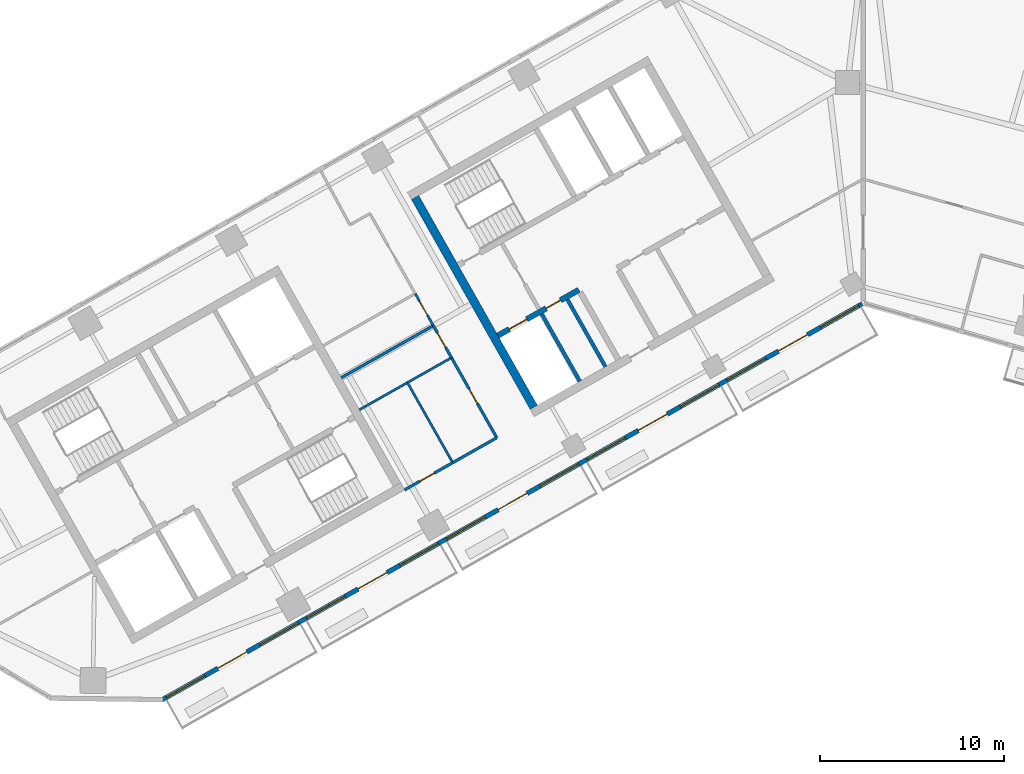
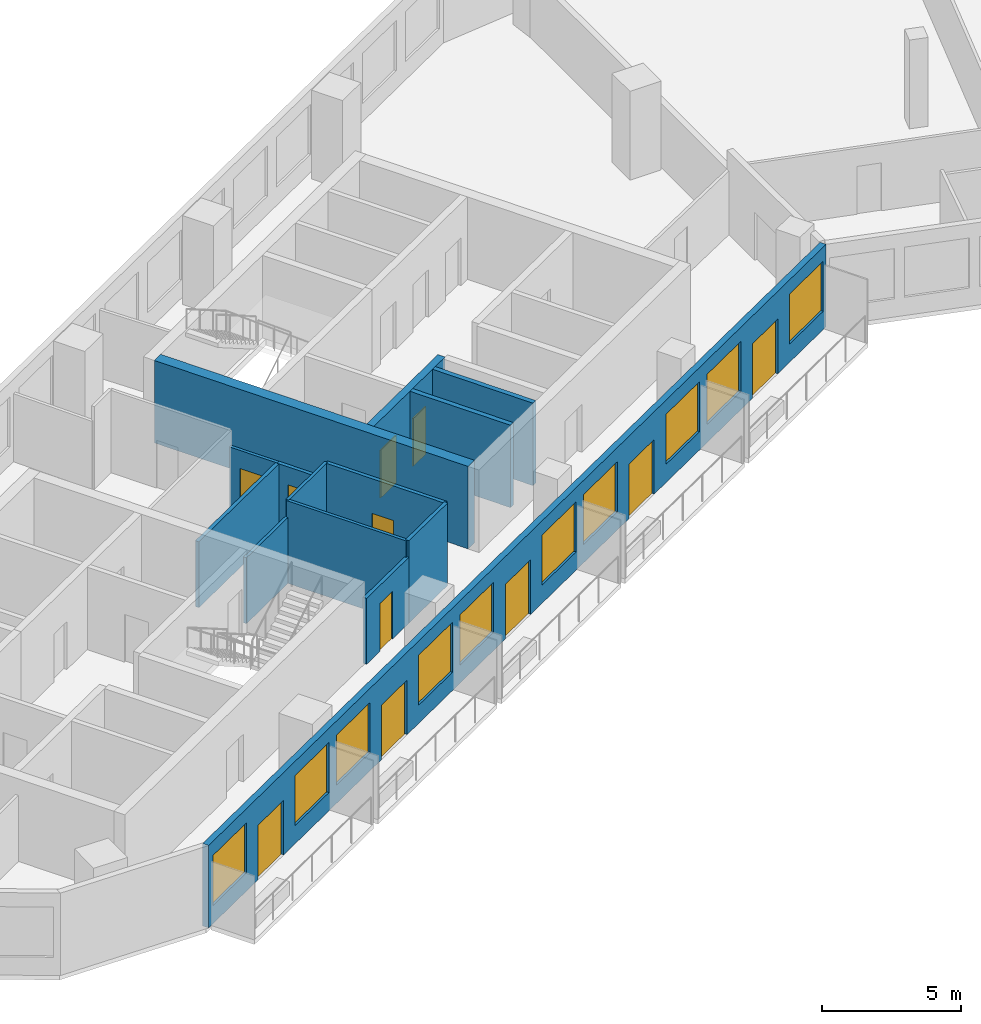
# One storey, part 5 of 12: 14 walls, 11 doors, 10 windows, 21 openings.
"""IFC4 building model written with IfcOpenShell, lengths in metres."""

from ifc_helpers import new_model, si_unit, direction, frame, frame_2d, origin, place, context, subcontext, project, spatial, rectangle, extrude, material, layer, layer_set, type_object, element, fill, save


model = new_model("IFC4")

# Units and contexts
model_context = context("Model", 3, precision=1e-05, world=origin(), true_north=direction((0.0, 1.0)))
body_context = subcontext(model_context, "Body", "Model", "MODEL_VIEW")
ifc_project = project(units=[si_unit("LENGTHUNIT", "METRE"), si_unit("AREAUNIT", "SQUARE_METRE"), si_unit("VOLUMEUNIT", "CUBIC_METRE"), si_unit("PLANEANGLEUNIT", "RADIAN"), si_unit("MASSUNIT", "GRAM", prefix="KILO")], contexts=[model_context])

# Site, building, storey
site_placement = place(None, origin())
site = spatial("IfcSite", under=ifc_project, at=site_placement, CompositionType="ELEMENT")
building_placement = place(site_placement, origin())
building = spatial("IfcBuilding", under=site, at=building_placement, Name="Binnacle Exchange Tower", CompositionType="ELEMENT")
storey_placement = place(building_placement, frame((0.0, 0.0, 211.39990234375)))
storey = spatial("IfcBuildingStorey", under=building, at=storey_placement, Name="L46", CompositionType="ELEMENT", Elevation=211.39990234375)

# Wall, openings, doors
ifc_material_1 = material(Name="Concrete C70/85", Category="concrete")
ifc_layer_1 = layer(ifc_material_1, 0.300048828125)
ifc_layer_set_1 = layer_set([ifc_layer_1], Name="Core wall - front 300")
wall_type_1 = type_object("IfcWallType", Name="Core wall - front 300", PredefinedType="SOLIDWALL", material=ifc_layer_set_1)
wall_1_placement = place(storey_placement, frame((-19.8486328125, 46.242431640625, 0.0), z_axis=(0.0, 0.0, 1.0), x_axis=(0.870347559728, 0.492437940532, 0.0)))
wall_1 = element("IfcWall", 1, at=wall_1_placement, inside=storey, type_object=wall_type_1, Name="Core wall CRWC2", PredefinedType="SOLIDWALL", context=body_context, shape_type="SweptSolid", body=[
    extrude(rectangle(XDim=5.050048828125, YDim=0.300048828125, at=frame_2d((2.52490234375, 0.0))), origin(), (0.0, 0.0, 1.0), 3.6201171875),
])
opening_1_placement = place(wall_1_placement, frame((0.7001953125, 0.0, 0.0)))
opening_1 = element("IfcOpeningElement", 2, at=opening_1_placement, cuts=wall_1, Name="Opening LD14", PredefinedType="OPENING", context=body_context, shape_type="SweptSolid", body=[
    extrude(rectangle(XDim=1.10009765625, YDim=2.10009765625, at=frame_2d((0.550048828125, 1.050048828125))), frame((0.0, 0.159912109375, 0.0), z_axis=(0.0, -1.0, 0.0), x_axis=(1.0, 0.0, 0.0)), (0.0, 0.0, 1.0), 0.320068359375),
])
opening_2_placement = place(wall_1_placement, frame((3.0, 0.0, 0.0)))
opening_2 = element("IfcOpeningElement", 3, at=opening_2_placement, cuts=wall_1, Name="Opening DC14", PredefinedType="OPENING", context=body_context, shape_type="SweptSolid", body=[
    extrude(rectangle(XDim=0.89990234375, YDim=2.10009765625, at=frame_2d((0.449951171875, 1.050048828125))), frame((0.0, 0.159912109375, 0.0), z_axis=(0.0, -1.0, 0.0), x_axis=(1.0, 0.0, 0.0)), (0.0, 0.0, 1.0), 0.320068359375),
])
ifc_material_2 = material(Name="Steel door leaf", Category="steel")
door_type_1 = type_object("IfcDoorType", Name="Fire door - lift landing 1100", OperationType="NOTDEFINED", PredefinedType="DOOR", material=ifc_material_2)
door_1_placement = place(opening_1_placement, origin())
door_1 = element("IfcDoor", 4, at=door_1_placement, inside=storey, type_object=door_type_1, Name="Landing door LD14 L46", OperationType="DOUBLE_DOOR_SLIDING", OverallHeight=2.10009765625, OverallWidth=1.10009765625, PredefinedType="DOOR", context=body_context, shape_type="SweptSolid", body=[
    extrude(rectangle(XDim=1.10009765625, YDim=2.10009765625, at=frame_2d((0.550048828125, 1.050048828125))), frame((0.0, 0.02490234375, 0.0), z_axis=(0.0, -1.0, 0.0), x_axis=(1.0, 0.0, 0.0)), (0.0, 0.0, 1.0), 0.050048828125),
])
fill(opening_1, door_1)
door_type_2 = type_object("IfcDoorType", Name="Fire door 900", OperationType="NOTDEFINED", PredefinedType="DOOR", material=ifc_material_2)
door_2_placement = place(opening_2_placement, frame((0.89990234375, 0.0, 0.0), z_axis=(0.0, 0.0, 1.0), x_axis=(-1.0, 0.0, 0.0)))
door_2 = element("IfcDoor", 5, at=door_2_placement, inside=storey, type_object=door_type_2, Name="Core room door ELECTRICAL ROOM", OperationType="SINGLE_SWING_LEFT", OverallHeight=2.10009765625, OverallWidth=0.89990234375, PredefinedType="DOOR", context=body_context, shape_type="SweptSolid", body=[
    extrude(rectangle(XDim=0.89990234375, YDim=2.10009765625, at=frame_2d((0.449951171875, 1.050048828125))), frame((0.0, 0.02490234375, 0.0), z_axis=(0.0, -1.0, 0.0), x_axis=(1.0, 0.0, 0.0)), (0.0, 0.0, 1.0), 0.050048828125),
])
fill(opening_2, door_2)

# Wall
ifc_layer_2 = layer(ifc_material_1, 0.449951171875)
ifc_layer_set_2 = layer_set([ifc_layer_2], Name="Core wall - outer 450")
wall_type_2 = type_object("IfcWallType", Name="Core wall - outer 450", PredefinedType="SOLIDWALL", material=ifc_layer_set_2)
wall_2_placement = place(storey_placement, frame((-24.353271484375, 53.747314453125, 0.0), z_axis=(0.0, 0.0, 1.0), x_axis=(0.492435496286, -0.870348942665, 0.0)))
element("IfcWall", 6, at=wall_2_placement, inside=storey, type_object=wall_type_2, Name="Core wall CRWC7", PredefinedType="SOLIDWALL", context=body_context, shape_type="SweptSolid", body=[
    extrude(rectangle(XDim=13.10009765625, YDim=0.449951171875, at=frame_2d((6.550048828125, 0.0))), origin(), (0.0, 0.0, 1.0), 3.6201171875),
])

# Wall, openings, doors, windows
ifc_material_3 = material(Name="Bronze aluminium cladding", Category="aluminium")
ifc_layer_3 = layer(ifc_material_3, 0.25)
ifc_layer_set_3 = layer_set([ifc_layer_3], Name="External wall - window wall 250")
wall_type_3 = type_object("IfcWallType", Name="External wall - window wall 250", PredefinedType="STANDARD", material=ifc_layer_set_3)
wall_3_placement = place(storey_placement, frame((-0.045654296875, 47.97412109375, 0.0), z_axis=(0.0, 0.0, 1.0), x_axis=(-0.870356579543, -0.492421998337, 0.0)))
wall_3 = element("IfcWall", 7, at=wall_3_placement, inside=storey, type_object=wall_type_3, Name="External wall EW-G01 L46", PredefinedType="STANDARD", context=body_context, shape_type="SweptSolid", body=[
    extrude(rectangle(XDim=43.75390625, YDim=0.25, at=frame_2d((21.876953125, 0.0))), origin(), (0.0, 0.0, 1.0), 3.6201171875),
])
opening_3_placement = place(wall_3_placement, frame((41.061279296875, 0.0, 0.800048828125)))
opening_3 = element("IfcOpeningElement", 8, at=opening_3_placement, cuts=wall_3, Name="Opening WR1", PredefinedType="OPENING", context=body_context, shape_type="SweptSolid", body=[
    extrude(rectangle(XDim=2.39990234375, YDim=2.199951171875, at=frame_2d((1.199951171875, 1.10009765625))), frame((0.0, 0.135009765625, 0.0), z_axis=(0.0, -1.0, 0.0), x_axis=(1.0, 0.0, 0.0)), (0.0, 0.0, 1.0), 0.27001953125),
])
opening_4_placement = place(wall_3_placement, frame((38.443115234375, 0.0, 0.0)))
opening_4 = element("IfcOpeningElement", 9, at=opening_4_placement, cuts=wall_3, Name="Opening D-FS13-01", PredefinedType="OPENING", context=body_context, shape_type="SweptSolid", body=[
    extrude(rectangle(XDim=1.800048828125, YDim=2.39990234375, at=frame_2d((0.89990234375, 1.199951171875))), frame((0.0, 0.135009765625, 0.0), z_axis=(0.0, -1.0, 0.0), x_axis=(1.0, 0.0, 0.0)), (0.0, 0.0, 1.0), 0.27001953125),
])
opening_5_placement = place(wall_3_placement, frame((35.224853515625, 0.0, 0.800048828125)))
opening_5 = element("IfcOpeningElement", 10, at=opening_5_placement, cuts=wall_3, Name="Opening WR1", PredefinedType="OPENING", context=body_context, shape_type="SweptSolid", body=[
    extrude(rectangle(XDim=2.39990234375, YDim=2.199951171875, at=frame_2d((1.199951171875, 1.10009765625))), frame((0.0, 0.135009765625, 0.0), z_axis=(0.0, -1.0, 0.0), x_axis=(1.0, 0.0, 0.0)), (0.0, 0.0, 1.0), 0.27001953125),
])
opening_6_placement = place(wall_3_placement, frame((32.306640625, 0.0, 0.800048828125)))
opening_6 = element("IfcOpeningElement", 11, at=opening_6_placement, cuts=wall_3, Name="Opening WR1", PredefinedType="OPENING", context=body_context, shape_type="SweptSolid", body=[
    extrude(rectangle(XDim=2.39990234375, YDim=2.199951171875, at=frame_2d((1.199951171875, 1.10009765625))), frame((0.0, 0.135009765625, 0.0), z_axis=(0.0, -1.0, 0.0), x_axis=(1.0, 0.0, 0.0)), (0.0, 0.0, 1.0), 0.27001953125),
])
opening_7_placement = place(wall_3_placement, frame((29.6884765625, 0.0, 0.0)))
opening_7 = element("IfcOpeningElement", 12, at=opening_7_placement, cuts=wall_3, Name="Opening D-FS13-02", PredefinedType="OPENING", context=body_context, shape_type="SweptSolid", body=[
    extrude(rectangle(XDim=1.800048828125, YDim=2.39990234375, at=frame_2d((0.89990234375, 1.199951171875))), frame((0.0, 0.135009765625, 0.0), z_axis=(0.0, -1.0, 0.0), x_axis=(1.0, 0.0, 0.0)), (0.0, 0.0, 1.0), 0.27001953125),
])
opening_8_placement = place(wall_3_placement, frame((26.47021484375, 0.0, 0.800048828125)))
opening_8 = element("IfcOpeningElement", 13, at=opening_8_placement, cuts=wall_3, Name="Opening WR1", PredefinedType="OPENING", context=body_context, shape_type="SweptSolid", body=[
    extrude(rectangle(XDim=2.39990234375, YDim=2.199951171875, at=frame_2d((1.199951171875, 1.10009765625))), frame((0.0, 0.135009765625, 0.0), z_axis=(0.0, -1.0, 0.0), x_axis=(1.0, 0.0, 0.0)), (0.0, 0.0, 1.0), 0.27001953125),
])
opening_9_placement = place(wall_3_placement, frame((23.552001953125, 0.0, 0.800048828125)))
opening_9 = element("IfcOpeningElement", 14, at=opening_9_placement, cuts=wall_3, Name="Opening WR1", PredefinedType="OPENING", context=body_context, shape_type="SweptSolid", body=[
    extrude(rectangle(XDim=2.39990234375, YDim=2.199951171875, at=frame_2d((1.199951171875, 1.10009765625))), frame((0.0, 0.135009765625, 0.0), z_axis=(0.0, -1.0, 0.0), x_axis=(1.0, 0.0, 0.0)), (0.0, 0.0, 1.0), 0.27001953125),
])
opening_10_placement = place(wall_3_placement, frame((20.93408203125, 0.0, 0.0)))
opening_10 = element("IfcOpeningElement", 15, at=opening_10_placement, cuts=wall_3, Name="Opening D-FS13-03", PredefinedType="OPENING", context=body_context, shape_type="SweptSolid", body=[
    extrude(rectangle(XDim=1.7998046875, YDim=2.39990234375, at=frame_2d((0.89990234375, 1.199951171875))), frame((0.0, 0.135009765625, 0.0), z_axis=(0.0, -1.0, 0.0), x_axis=(1.0, 0.0, 0.0)), (0.0, 0.0, 1.0), 0.27001953125),
])
opening_11_placement = place(wall_3_placement, frame((17.7158203125, 0.0, 0.800048828125)))
opening_11 = element("IfcOpeningElement", 16, at=opening_11_placement, cuts=wall_3, Name="Opening WR1", PredefinedType="OPENING", context=body_context, shape_type="SweptSolid", body=[
    extrude(rectangle(XDim=2.39990234375, YDim=2.199951171875, at=frame_2d((1.199951171875, 1.10009765625))), frame((0.0, 0.135009765625, 0.0), z_axis=(0.0, -1.0, 0.0), x_axis=(1.0, 0.0, 0.0)), (0.0, 0.0, 1.0), 0.27001953125),
])
opening_12_placement = place(wall_3_placement, frame((14.797607421875, 0.0, 0.800048828125)))
opening_12 = element("IfcOpeningElement", 17, at=opening_12_placement, cuts=wall_3, Name="Opening WR1", PredefinedType="OPENING", context=body_context, shape_type="SweptSolid", body=[
    extrude(rectangle(XDim=2.39990234375, YDim=2.199951171875, at=frame_2d((1.199951171875, 1.10009765625))), frame((0.0, 0.135009765625, 0.0), z_axis=(0.0, -1.0, 0.0), x_axis=(1.0, 0.0, 0.0)), (0.0, 0.0, 1.0), 0.27001953125),
])
opening_13_placement = place(wall_3_placement, frame((12.179443359375, 0.0, 0.0)))
opening_13 = element("IfcOpeningElement", 18, at=opening_13_placement, cuts=wall_3, Name="Opening D-FS13-04", PredefinedType="OPENING", context=body_context, shape_type="SweptSolid", body=[
    extrude(rectangle(XDim=1.800048828125, YDim=2.39990234375, at=frame_2d((0.89990234375, 1.199951171875))), frame((0.0, 0.135009765625, 0.0), z_axis=(0.0, -1.0, 0.0), x_axis=(1.0, 0.0, 0.0)), (0.0, 0.0, 1.0), 0.27001953125),
])
opening_14_placement = place(wall_3_placement, frame((8.961181640625, 0.0, 0.800048828125)))
opening_14 = element("IfcOpeningElement", 19, at=opening_14_placement, cuts=wall_3, Name="Opening WR1", PredefinedType="OPENING", context=body_context, shape_type="SweptSolid", body=[
    extrude(rectangle(XDim=2.39990234375, YDim=2.199951171875, at=frame_2d((1.199951171875, 1.10009765625))), frame((0.0, 0.135009765625, 0.0), z_axis=(0.0, -1.0, 0.0), x_axis=(1.0, 0.0, 0.0)), (0.0, 0.0, 1.0), 0.27001953125),
])
opening_15_placement = place(wall_3_placement, frame((6.04296875, 0.0, 0.800048828125)))
opening_15 = element("IfcOpeningElement", 20, at=opening_15_placement, cuts=wall_3, Name="Opening WR1", PredefinedType="OPENING", context=body_context, shape_type="SweptSolid", body=[
    extrude(rectangle(XDim=2.400146484375, YDim=2.199951171875, at=frame_2d((1.2001953125, 1.10009765625))), frame((0.0, 0.135009765625, 0.0), z_axis=(0.0, -1.0, 0.0), x_axis=(1.0, 0.0, 0.0)), (0.0, 0.0, 1.0), 0.27001953125),
])
opening_16_placement = place(wall_3_placement, frame((3.4248046875, 0.0, 0.0)))
opening_16 = element("IfcOpeningElement", 21, at=opening_16_placement, cuts=wall_3, Name="Opening D-FS13-05", PredefinedType="OPENING", context=body_context, shape_type="SweptSolid", body=[
    extrude(rectangle(XDim=1.800048828125, YDim=2.39990234375, at=frame_2d((0.89990234375, 1.199951171875))), frame((0.0, 0.135009765625, 0.0), z_axis=(0.0, -1.0, 0.0), x_axis=(1.0, 0.0, 0.0)), (0.0, 0.0, 1.0), 0.27001953125),
])
opening_17_placement = place(wall_3_placement, frame((0.206787109375, 0.0, 0.800048828125)))
opening_17 = element("IfcOpeningElement", 22, at=opening_17_placement, cuts=wall_3, Name="Opening WR1", PredefinedType="OPENING", context=body_context, shape_type="SweptSolid", body=[
    extrude(rectangle(XDim=2.39990234375, YDim=2.199951171875, at=frame_2d((1.199951171875, 1.10009765625))), frame((0.0, 0.135009765625, 0.0), z_axis=(0.0, -1.0, 0.0), x_axis=(1.0, 0.0, 0.0)), (0.0, 0.0, 1.0), 0.27001953125),
])
ifc_material_4 = material(Name="Bronze anodised aluminium frame", Category="aluminium")
door_type_3 = type_object("IfcDoorType", Name="DB DOOR 1800x2400", OperationType="DOUBLE_DOOR_SINGLE_SWING", PredefinedType="DOOR", material=ifc_material_4)
door_3_placement = place(opening_4_placement, origin())
door_3 = element("IfcDoor", 23, at=door_3_placement, inside=storey, type_object=door_type_3, Name="Door D-FS13-01 L46", OperationType="DOUBLE_DOOR_SINGLE_SWING", OverallHeight=2.39990234375, OverallWidth=1.800048828125, PredefinedType="DOOR", context=body_context, shape_type="SweptSolid", body=[
    extrude(rectangle(XDim=1.800048828125, YDim=2.39990234375, at=frame_2d((0.89990234375, 1.199951171875))), frame((0.0, 0.02490234375, 0.0), z_axis=(0.0, -1.0, 0.0), x_axis=(1.0, 0.0, 0.0)), (0.0, 0.0, 1.0), 0.050048828125),
])
fill(opening_4, door_3)
door_4_placement = place(opening_7_placement, origin())
door_4 = element("IfcDoor", 24, at=door_4_placement, inside=storey, type_object=door_type_3, Name="Door D-FS13-02 L46", OperationType="DOUBLE_DOOR_SINGLE_SWING", OverallHeight=2.39990234375, OverallWidth=1.800048828125, PredefinedType="DOOR", context=body_context, shape_type="SweptSolid", body=[
    extrude(rectangle(XDim=1.800048828125, YDim=2.39990234375, at=frame_2d((0.89990234375, 1.199951171875))), frame((0.0, 0.02490234375, 0.0), z_axis=(0.0, -1.0, 0.0), x_axis=(1.0, 0.0, 0.0)), (0.0, 0.0, 1.0), 0.050048828125),
])
fill(opening_7, door_4)
door_5_placement = place(opening_10_placement, origin())
door_5 = element("IfcDoor", 25, at=door_5_placement, inside=storey, type_object=door_type_3, Name="Door D-FS13-03 L46", OperationType="DOUBLE_DOOR_SINGLE_SWING", OverallHeight=2.39990234375, OverallWidth=1.7998046875, PredefinedType="DOOR", context=body_context, shape_type="SweptSolid", body=[
    extrude(rectangle(XDim=1.7998046875, YDim=2.39990234375, at=frame_2d((0.89990234375, 1.199951171875))), frame((0.0, 0.02490234375, 0.0), z_axis=(0.0, -1.0, 0.0), x_axis=(1.0, 0.0, 0.0)), (0.0, 0.0, 1.0), 0.050048828125),
])
fill(opening_10, door_5)
door_6_placement = place(opening_13_placement, origin())
door_6 = element("IfcDoor", 26, at=door_6_placement, inside=storey, type_object=door_type_3, Name="Door D-FS13-04 L46", OperationType="DOUBLE_DOOR_SINGLE_SWING", OverallHeight=2.39990234375, OverallWidth=1.800048828125, PredefinedType="DOOR", context=body_context, shape_type="SweptSolid", body=[
    extrude(rectangle(XDim=1.800048828125, YDim=2.39990234375, at=frame_2d((0.89990234375, 1.199951171875))), frame((0.0, 0.02490234375, 0.0), z_axis=(0.0, -1.0, 0.0), x_axis=(1.0, 0.0, 0.0)), (0.0, 0.0, 1.0), 0.050048828125),
])
fill(opening_13, door_6)
door_7_placement = place(opening_16_placement, origin())
door_7 = element("IfcDoor", 27, at=door_7_placement, inside=storey, type_object=door_type_3, Name="Door D-FS13-05 L46", OperationType="DOUBLE_DOOR_SINGLE_SWING", OverallHeight=2.39990234375, OverallWidth=1.800048828125, PredefinedType="DOOR", context=body_context, shape_type="SweptSolid", body=[
    extrude(rectangle(XDim=1.800048828125, YDim=2.39990234375, at=frame_2d((0.89990234375, 1.199951171875))), frame((0.0, 0.02490234375, 0.0), z_axis=(0.0, -1.0, 0.0), x_axis=(1.0, 0.0, 0.0)), (0.0, 0.0, 1.0), 0.050048828125),
])
fill(opening_16, door_7)
window_type = type_object("IfcWindowType", Name="WR1 WINDOW 2400x2200", PartitioningType="SINGLE_PANEL", PredefinedType="WINDOW", material=ifc_material_4)
window_1_placement = place(opening_3_placement, origin())
window_1 = element("IfcWindow", 28, at=window_1_placement, inside=storey, type_object=window_type, Name="Window WR1 L46", OverallHeight=2.199951171875, OverallWidth=2.39990234375, PartitioningType="SINGLE_PANEL", PredefinedType="WINDOW", context=body_context, shape_type="SweptSolid", body=[
    extrude(rectangle(XDim=2.39990234375, YDim=2.199951171875, at=frame_2d((1.199951171875, 1.10009765625))), frame((0.0, 0.030029296875, 0.0), z_axis=(0.0, -1.0, 0.0), x_axis=(1.0, 0.0, 0.0)), (0.0, 0.0, 1.0), 0.06005859375),
])
fill(opening_3, window_1)
window_2_placement = place(opening_5_placement, origin())
window_2 = element("IfcWindow", 29, at=window_2_placement, inside=storey, type_object=window_type, Name="Window WR1 L46", OverallHeight=2.199951171875, OverallWidth=2.39990234375, PartitioningType="SINGLE_PANEL", PredefinedType="WINDOW", context=body_context, shape_type="SweptSolid", body=[
    extrude(rectangle(XDim=2.39990234375, YDim=2.199951171875, at=frame_2d((1.199951171875, 1.10009765625))), frame((0.0, 0.030029296875, 0.0), z_axis=(0.0, -1.0, 0.0), x_axis=(1.0, 0.0, 0.0)), (0.0, 0.0, 1.0), 0.06005859375),
])
fill(opening_5, window_2)
window_3_placement = place(opening_6_placement, origin())
window_3 = element("IfcWindow", 30, at=window_3_placement, inside=storey, type_object=window_type, Name="Window WR1 L46", OverallHeight=2.199951171875, OverallWidth=2.39990234375, PartitioningType="SINGLE_PANEL", PredefinedType="WINDOW", context=body_context, shape_type="SweptSolid", body=[
    extrude(rectangle(XDim=2.39990234375, YDim=2.199951171875, at=frame_2d((1.199951171875, 1.10009765625))), frame((0.0, 0.030029296875, 0.0), z_axis=(0.0, -1.0, 0.0), x_axis=(1.0, 0.0, 0.0)), (0.0, 0.0, 1.0), 0.06005859375),
])
fill(opening_6, window_3)
window_4_placement = place(opening_8_placement, origin())
window_4 = element("IfcWindow", 31, at=window_4_placement, inside=storey, type_object=window_type, Name="Window WR1 L46", OverallHeight=2.199951171875, OverallWidth=2.39990234375, PartitioningType="SINGLE_PANEL", PredefinedType="WINDOW", context=body_context, shape_type="SweptSolid", body=[
    extrude(rectangle(XDim=2.39990234375, YDim=2.199951171875, at=frame_2d((1.199951171875, 1.10009765625))), frame((0.0, 0.030029296875, 0.0), z_axis=(0.0, -1.0, 0.0), x_axis=(1.0, 0.0, 0.0)), (0.0, 0.0, 1.0), 0.06005859375),
])
fill(opening_8, window_4)
window_5_placement = place(opening_9_placement, origin())
window_5 = element("IfcWindow", 32, at=window_5_placement, inside=storey, type_object=window_type, Name="Window WR1 L46", OverallHeight=2.199951171875, OverallWidth=2.39990234375, PartitioningType="SINGLE_PANEL", PredefinedType="WINDOW", context=body_context, shape_type="SweptSolid", body=[
    extrude(rectangle(XDim=2.39990234375, YDim=2.199951171875, at=frame_2d((1.199951171875, 1.10009765625))), frame((0.0, 0.030029296875, 0.0), z_axis=(0.0, -1.0, 0.0), x_axis=(1.0, 0.0, 0.0)), (0.0, 0.0, 1.0), 0.06005859375),
])
fill(opening_9, window_5)
window_6_placement = place(opening_11_placement, origin())
window_6 = element("IfcWindow", 33, at=window_6_placement, inside=storey, type_object=window_type, Name="Window WR1 L46", OverallHeight=2.199951171875, OverallWidth=2.39990234375, PartitioningType="SINGLE_PANEL", PredefinedType="WINDOW", context=body_context, shape_type="SweptSolid", body=[
    extrude(rectangle(XDim=2.39990234375, YDim=2.199951171875, at=frame_2d((1.199951171875, 1.10009765625))), frame((0.0, 0.030029296875, 0.0), z_axis=(0.0, -1.0, 0.0), x_axis=(1.0, 0.0, 0.0)), (0.0, 0.0, 1.0), 0.06005859375),
])
fill(opening_11, window_6)
window_7_placement = place(opening_12_placement, origin())
window_7 = element("IfcWindow", 34, at=window_7_placement, inside=storey, type_object=window_type, Name="Window WR1 L46", OverallHeight=2.199951171875, OverallWidth=2.39990234375, PartitioningType="SINGLE_PANEL", PredefinedType="WINDOW", context=body_context, shape_type="SweptSolid", body=[
    extrude(rectangle(XDim=2.39990234375, YDim=2.199951171875, at=frame_2d((1.199951171875, 1.10009765625))), frame((0.0, 0.030029296875, 0.0), z_axis=(0.0, -1.0, 0.0), x_axis=(1.0, 0.0, 0.0)), (0.0, 0.0, 1.0), 0.06005859375),
])
fill(opening_12, window_7)
window_8_placement = place(opening_14_placement, origin())
window_8 = element("IfcWindow", 35, at=window_8_placement, inside=storey, type_object=window_type, Name="Window WR1 L46", OverallHeight=2.199951171875, OverallWidth=2.39990234375, PartitioningType="SINGLE_PANEL", PredefinedType="WINDOW", context=body_context, shape_type="SweptSolid", body=[
    extrude(rectangle(XDim=2.39990234375, YDim=2.199951171875, at=frame_2d((1.199951171875, 1.10009765625))), frame((0.0, 0.030029296875, 0.0), z_axis=(0.0, -1.0, 0.0), x_axis=(1.0, 0.0, 0.0)), (0.0, 0.0, 1.0), 0.06005859375),
])
fill(opening_14, window_8)
window_9_placement = place(opening_15_placement, origin())
window_9 = element("IfcWindow", 36, at=window_9_placement, inside=storey, type_object=window_type, Name="Window WR1 L46", OverallHeight=2.199951171875, OverallWidth=2.400146484375, PartitioningType="SINGLE_PANEL", PredefinedType="WINDOW", context=body_context, shape_type="SweptSolid", body=[
    extrude(rectangle(XDim=2.400146484375, YDim=2.199951171875, at=frame_2d((1.2001953125, 1.10009765625))), frame((0.0, 0.030029296875, 0.0), z_axis=(0.0, -1.0, 0.0), x_axis=(1.0, 0.0, 0.0)), (0.0, 0.0, 1.0), 0.06005859375),
])
fill(opening_15, window_9)
window_10_placement = place(opening_17_placement, origin())
window_10 = element("IfcWindow", 37, at=window_10_placement, inside=storey, type_object=window_type, Name="Window WR1 L46", OverallHeight=2.199951171875, OverallWidth=2.39990234375, PartitioningType="SINGLE_PANEL", PredefinedType="WINDOW", context=body_context, shape_type="SweptSolid", body=[
    extrude(rectangle(XDim=2.39990234375, YDim=2.199951171875, at=frame_2d((1.199951171875, 1.10009765625))), frame((0.0, 0.030029296875, 0.0), z_axis=(0.0, -1.0, 0.0), x_axis=(1.0, 0.0, 0.0)), (0.0, 0.0, 1.0), 0.06005859375),
])
fill(opening_17, window_10)

# Wall
ifc_material_5 = material(Name="Gypsum partition fire rated")
ifc_layer_4 = layer(ifc_material_5, 0.14990234375)
ifc_layer_set_4 = layer_set([ifc_layer_4], Name="Fire-rated partition 150")
wall_type_4 = type_object("IfcWallType", Name="Fire-rated partition 150", PredefinedType="PARTITIONING", material=ifc_layer_set_4)
wall_4_placement = place(storey_placement, frame((-28.365966796875, 43.951904296875, 0.0), z_axis=(0.0, 0.0, 1.0), x_axis=(0.870398309195, 0.492348233825, 0.0)))
element("IfcWall", 38, at=wall_4_placement, inside=storey, type_object=wall_type_4, Name="Partition W05", PredefinedType="PARTITIONING", context=body_context, shape_type="SweptSolid", body=[
    extrude(rectangle(XDim=5.75, YDim=0.14990234375, at=frame_2d((2.875, 0.0))), origin(), (0.0, 0.0, 1.0), 2.89208984375),
])

# Wall, opening, door
wall_5_placement = place(storey_placement, frame((-24.9189453125, 37.85888671875, 0.0), z_axis=(0.0, 0.0, 1.0), x_axis=(0.870368744559, 0.492400496034, 0.0)))
wall_5 = element("IfcWall", 39, at=wall_5_placement, inside=storey, type_object=wall_type_4, Name="Partition W09", PredefinedType="PARTITIONING", context=body_context, shape_type="SweptSolid", body=[
    extrude(rectangle(XDim=2.999755859375, YDim=0.14990234375, at=frame_2d((1.5, 0.0))), origin(), (0.0, 0.0, 1.0), 2.89208984375),
])
opening_18_placement = place(wall_5_placement, frame((0.949951171875, 0.0, 0.0)))
opening_18 = element("IfcOpeningElement", 40, at=opening_18_placement, cuts=wall_5, Name="Opening DL45-03", PredefinedType="OPENING", context=body_context, shape_type="SweptSolid", body=[
    extrude(rectangle(XDim=0.89990234375, YDim=2.10009765625, at=frame_2d((0.449951171875, 1.050048828125))), frame((0.0, 0.0849609375, 0.0), z_axis=(0.0, -1.0, 0.0), x_axis=(1.0, 0.0, 0.0)), (0.0, 0.0, 1.0), 0.169921875),
])
door_8_placement = place(opening_18_placement, origin())
door_8 = element("IfcDoor", 41, at=door_8_placement, inside=storey, type_object=door_type_2, Name="Door DL45-03", OperationType="SINGLE_SWING_LEFT", OverallHeight=2.10009765625, OverallWidth=0.89990234375, PredefinedType="DOOR", context=body_context, shape_type="SweptSolid", body=[
    extrude(rectangle(XDim=0.89990234375, YDim=2.10009765625, at=frame_2d((0.449951171875, 1.050048828125))), frame((0.0, 0.02490234375, 0.0), z_axis=(0.0, -1.0, 0.0), x_axis=(1.0, 0.0, 0.0)), (0.0, 0.0, 1.0), 0.050048828125),
])
fill(opening_18, door_8)

wall_6_placement = place(storey_placement, frame((-23.361083984375, 46.782958984375, 0.0), z_axis=(0.0, 0.0, 1.0), x_axis=(0.492467412326, -0.870330884088, 0.0)))
wall_6 = element("IfcWall", 42, at=wall_6_placement, inside=storey, type_object=wall_type_4, Name="Partition W14", PredefinedType="PARTITIONING", context=body_context, shape_type="SweptSolid", body=[
    extrude(rectangle(XDim=2.000244140625, YDim=0.14990234375, at=frame_2d((1.0, 0.0))), origin(), (0.0, 0.0, 1.0), 2.89208984375),
])
opening_19_placement = place(wall_6_placement, frame((0.449951171875, 0.0, 0.0)))
opening_19 = element("IfcOpeningElement", 43, at=opening_19_placement, cuts=wall_6, Name="Opening DL45-05", PredefinedType="OPENING", context=body_context, shape_type="SweptSolid", body=[
    extrude(rectangle(XDim=0.89990234375, YDim=2.10009765625, at=frame_2d((0.449951171875, 1.050048828125))), frame((0.0, 0.0849609375, 0.0), z_axis=(0.0, -1.0, 0.0), x_axis=(1.0, 0.0, 0.0)), (0.0, 0.0, 1.0), 0.169921875),
])
door_9_placement = place(opening_19_placement, frame((0.89990234375, 0.0, 0.0), z_axis=(0.0, 0.0, 1.0), x_axis=(-1.0, 0.0, 0.0)))
door_9 = element("IfcDoor", 44, at=door_9_placement, inside=storey, type_object=door_type_2, Name="Door DL45-05", OperationType="SINGLE_SWING_RIGHT", OverallHeight=2.10009765625, OverallWidth=0.89990234375, PredefinedType="DOOR", context=body_context, shape_type="SweptSolid", body=[
    extrude(rectangle(XDim=0.89990234375, YDim=2.10009765625, at=frame_2d((0.449951171875, 1.050048828125))), frame((0.0, 0.02490234375, 0.0), z_axis=(0.0, -1.0, 0.0), x_axis=(1.0, 0.0, 0.0)), (0.0, 0.0, 1.0), 0.050048828125),
])
fill(opening_19, door_9)

wall_7_placement = place(storey_placement, frame((-22.3759765625, 45.0419921875, 0.0), z_axis=(0.0, 0.0, 1.0), x_axis=(0.49245306389, -0.870339002841, 0.0)))
wall_7 = element("IfcWall", 45, at=wall_7_placement, inside=storey, type_object=wall_type_4, Name="Partition W15", PredefinedType="PARTITIONING", context=body_context, shape_type="SweptSolid", body=[
    extrude(rectangle(XDim=4.999267578125, YDim=0.14990234375, at=frame_2d((2.49951171875, 0.0))), origin(), (0.0, 0.0, 1.0), 3.6201171875),
])
opening_20_placement = place(wall_7_placement, frame((1.949951171875, 0.0, 0.0)))
opening_20 = element("IfcOpeningElement", 46, at=opening_20_placement, cuts=wall_7, Name="Opening DL45-04", PredefinedType="OPENING", context=body_context, shape_type="SweptSolid", body=[
    extrude(rectangle(XDim=0.89990234375, YDim=2.10009765625, at=frame_2d((0.449951171875, 1.050048828125))), frame((0.0, 0.0849609375, 0.0), z_axis=(0.0, -1.0, 0.0), x_axis=(1.0, 0.0, 0.0)), (0.0, 0.0, 1.0), 0.169921875),
])
door_10_placement = place(opening_20_placement, frame((0.89990234375, 0.0, 0.0), z_axis=(0.0, 0.0, 1.0), x_axis=(-1.0, 0.0, 0.0)))
door_10 = element("IfcDoor", 47, at=door_10_placement, inside=storey, type_object=door_type_2, Name="Door DL45-04", OperationType="SINGLE_SWING_RIGHT", OverallHeight=2.10009765625, OverallWidth=0.89990234375, PredefinedType="DOOR", context=body_context, shape_type="SweptSolid", body=[
    extrude(rectangle(XDim=0.89990234375, YDim=2.10009765625, at=frame_2d((0.449951171875, 1.050048828125))), frame((0.0, 0.02490234375, 0.0), z_axis=(0.0, -1.0, 0.0), x_axis=(1.0, 0.0, 0.0)), (0.0, 0.0, 1.0), 0.050048828125),
])
fill(opening_20, door_10)

# Walls
wall_8_placement = place(storey_placement, frame((-22.30810546875, 39.3359375, 0.0), z_axis=(0.0, 0.0, 1.0), x_axis=(0.870278389592, 0.492560173591, 0.0)))
element("IfcWall", 48, at=wall_8_placement, inside=storey, type_object=wall_type_4, Name="Partition W16", PredefinedType="PARTITIONING", context=body_context, shape_type="SweptSolid", body=[
    extrude(rectangle(XDim=2.7509765625, YDim=0.14990234375, at=frame_2d((1.37548828125, 0.0))), origin(), (0.0, 0.0, 1.0), 3.6201171875),
])
ifc_material_6 = material(Name="Gypsum partition")
ifc_layer_5 = layer(ifc_material_6, 0.125)
ifc_layer_set_5 = layer_set([ifc_layer_5], Name="Partition 125")
wall_type_5 = type_object("IfcWallType", Name="Partition 125", PredefinedType="PARTITIONING", material=ifc_layer_set_5)
wall_9_placement = place(storey_placement, frame((-27.381103515625, 42.2109375, 0.0), z_axis=(0.0, 0.0, 1.0), x_axis=(0.870388475779, 0.492365617434, 0.0)))
element("IfcWall", 49, at=wall_9_placement, inside=storey, type_object=wall_type_5, Name="Partition W07", PredefinedType="PARTITIONING", context=body_context, shape_type="SweptSolid", body=[
    extrude(rectangle(XDim=3.0, YDim=0.125, at=frame_2d((1.5, 0.0))), origin(), (0.0, 0.0, 1.0), 2.89208984375),
])
wall_10_placement = place(storey_placement, frame((-24.77001953125, 43.68798828125, 0.0), z_axis=(0.0, 0.0, 1.0), x_axis=(0.870430549821, 0.492291232848, 0.0)))
element("IfcWall", 50, at=wall_10_placement, inside=storey, type_object=wall_type_5, Name="Partition W10", PredefinedType="PARTITIONING", context=body_context, shape_type="SweptSolid", body=[
    extrude(rectangle(XDim=2.75048828125, YDim=0.125, at=frame_2d((1.375244140625, 0.0))), origin(), (0.0, 0.0, 1.0), 3.6201171875),
])
wall_11_placement = place(storey_placement, frame((-24.77001953125, 43.68798828125, 0.0), z_axis=(0.0, 0.0, 1.0), x_axis=(0.492369352746, -0.870386362759, 0.0)))
element("IfcWall", 51, at=wall_11_placement, inside=storey, type_object=wall_type_5, Name="Partition W11", PredefinedType="PARTITIONING", context=body_context, shape_type="SweptSolid", body=[
    extrude(rectangle(XDim=5.000244140625, YDim=0.125, at=frame_2d((2.5, 0.0))), origin(), (0.0, 0.0, 1.0), 3.6201171875),
])

# Wall, opening, door
wall_12_placement = place(storey_placement, frame((-24.345947265625, 48.52392578125, 0.0), z_axis=(0.0, 0.0, 1.0), x_axis=(0.492374954878, -0.870383193662, 0.0)))
wall_12 = element("IfcWall", 52, at=wall_12_placement, inside=storey, type_object=wall_type_5, Name="Partition W12", PredefinedType="PARTITIONING", context=body_context, shape_type="SweptSolid", body=[
    extrude(rectangle(XDim=2.000244140625, YDim=0.125, at=frame_2d((1.0, 0.0))), origin(), (0.0, 0.0, 1.0), 2.89208984375),
])
opening_21_placement = place(wall_12_placement, frame((0.449951171875, 0.0, 0.0)))
opening_21 = element("IfcOpeningElement", 53, at=opening_21_placement, cuts=wall_12, Name="Opening DL45-06", PredefinedType="OPENING", context=body_context, shape_type="SweptSolid", body=[
    extrude(rectangle(XDim=0.89990234375, YDim=2.10009765625, at=frame_2d((0.449951171875, 1.050048828125))), frame((0.0, 0.072509765625, 0.0), z_axis=(0.0, -1.0, 0.0), x_axis=(1.0, 0.0, 0.0)), (0.0, 0.0, 1.0), 0.14501953125),
])
ifc_material_7 = material(Name="Timber door leaf", Category="wood")
door_type_4 = type_object("IfcDoorType", Name="Door 900", OperationType="NOTDEFINED", PredefinedType="DOOR", material=ifc_material_7)
door_11_placement = place(opening_21_placement, frame((0.89990234375, 0.0, 0.0), z_axis=(0.0, 0.0, 1.0), x_axis=(-1.0, 0.0, 0.0)))
door_11 = element("IfcDoor", 54, at=door_11_placement, inside=storey, type_object=door_type_4, Name="Door DL45-06", OperationType="SINGLE_SWING_RIGHT", OverallHeight=2.10009765625, OverallWidth=0.89990234375, PredefinedType="DOOR", context=body_context, shape_type="SweptSolid", body=[
    extrude(rectangle(XDim=0.89990234375, YDim=2.10009765625, at=frame_2d((0.449951171875, 1.050048828125))), frame((0.0, 0.02490234375, 0.0), z_axis=(0.0, -1.0, 0.0), x_axis=(1.0, 0.0, 0.0)), (0.0, 0.0, 1.0), 0.050048828125),
])
fill(opening_21, door_11)

# Walls
ifc_material_8 = material(Name="Masonry block wall", Category="masonry")
ifc_layer_6 = layer(ifc_material_8, 0.199951171875)
ifc_layer_set_6 = layer_set([ifc_layer_6], Name="Riser wall 200")
wall_type_6 = type_object("IfcWallType", Name="Riser wall 200", PredefinedType="SOLIDWALL", material=ifc_layer_set_6)
wall_13_placement = place(storey_placement, frame((-16.07568359375, 48.20458984375, 0.0), z_axis=(0.0, 0.0, 1.0), x_axis=(0.49243456751, -0.870349468157, 0.0)))
element("IfcWall", 55, at=wall_13_placement, inside=storey, type_object=wall_type_6, Name="Core wall CRWC12", PredefinedType="SOLIDWALL", context=body_context, shape_type="SweptSolid", body=[
    extrude(rectangle(XDim=4.19970703125, YDim=0.199951171875, at=frame_2d((2.099853515625, 0.0))), origin(), (0.0, 0.0, 1.0), 3.6201171875),
])
ifc_layer_7 = layer(ifc_material_8, 0.199951171875)
ifc_layer_set_7 = layer_set([ifc_layer_7], Name="Shaft wall 200")
wall_type_7 = type_object("IfcWallType", Name="Shaft wall 200", PredefinedType="SOLIDWALL", material=ifc_layer_set_7)
wall_14_placement = place(storey_placement, frame((-17.468505859375, 47.416748046875, 0.0), z_axis=(0.0, 0.0, 1.0), x_axis=(0.492453686477, -0.870338650569, 0.0)))
element("IfcWall", 56, at=wall_14_placement, inside=storey, type_object=wall_type_7, Name="Core wall CRWC9", PredefinedType="SOLIDWALL", context=body_context, shape_type="SweptSolid", body=[
    extrude(rectangle(XDim=4.2001953125, YDim=0.199951171875, at=frame_2d((2.10009765625, 0.0))), origin(), (0.0, 0.0, 1.0), 3.6201171875),
])

save(model, "model.ifc")
